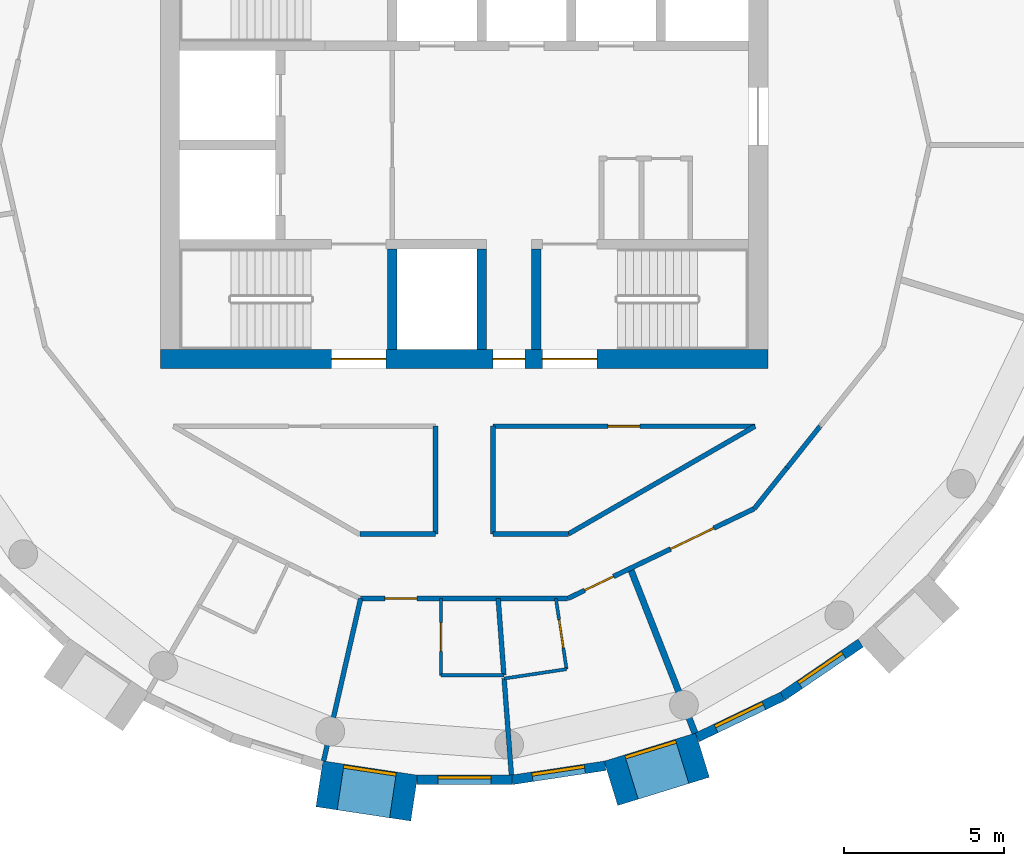
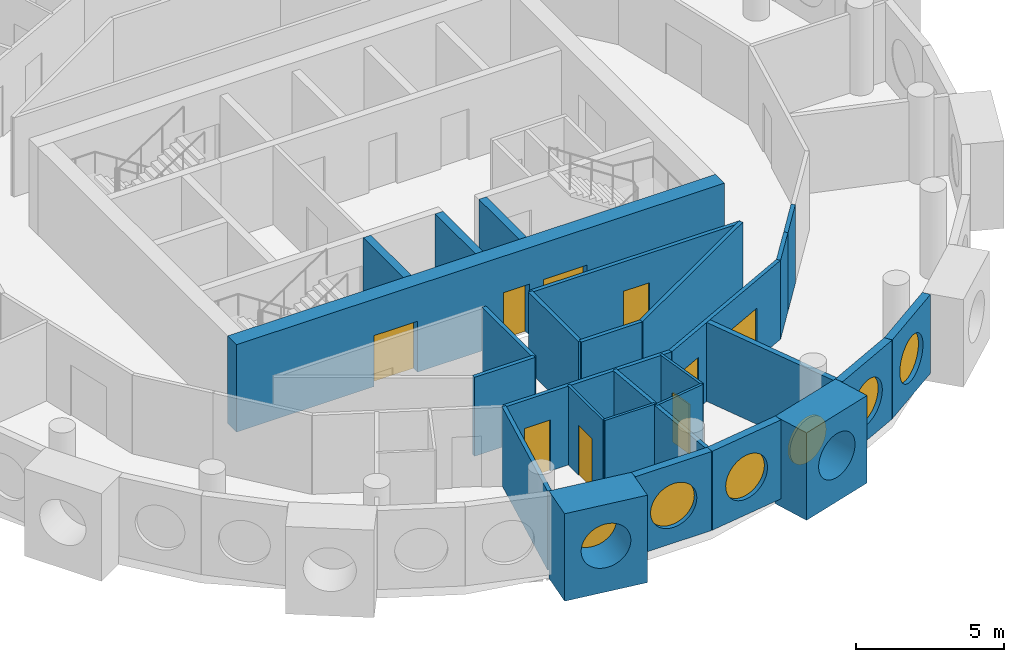
# One storey, part 4 of 13: 28 walls, 9 doors, 6 windows, 15 openings.
"""IFC4 building model written with IfcOpenShell, lengths in metres."""

from ifc_helpers import new_model, si_unit, direction, frame, frame_2d, origin, origin_2d, place, context, subcontext, project, spatial, rectangle, circle, extrude, material, layer, layer_set, type_object, element, fill, save


model = new_model("IFC4")

# Units and contexts
model_context = context("Model", 3, precision=1e-05, world=origin(), true_north=direction((0.0, 1.0)))
body_context = subcontext(model_context, "Body", "Model", "MODEL_VIEW")
ifc_project = project(units=[si_unit("LENGTHUNIT", "METRE"), si_unit("AREAUNIT", "SQUARE_METRE"), si_unit("VOLUMEUNIT", "CUBIC_METRE"), si_unit("PLANEANGLEUNIT", "RADIAN"), si_unit("MASSUNIT", "GRAM", prefix="KILO")], contexts=[model_context])

# Site, building, storey
site_placement = place(None, origin())
site = spatial("IfcSite", under=ifc_project, at=site_placement, CompositionType="ELEMENT")
building_placement = place(site_placement, origin())
building = spatial("IfcBuilding", under=site, at=building_placement, Name="Tracery Tower", CompositionType="ELEMENT")
storey_placement = place(building_placement, frame((0.0, 0.0, 316.199951171875)))
storey = spatial("IfcBuildingStorey", under=building, at=storey_placement, Name="L82", CompositionType="ELEMENT", Elevation=316.199951171875)

# Wall, openings, doors
ifc_material_1 = material(Name="Concrete C40/50", Category="concrete")
ifc_layer_1 = layer(ifc_material_1, 0.60009765625)
ifc_layer_set_1 = layer_set([ifc_layer_1], Name="Core wall 600 C40")
wall_type_1 = type_object("IfcWallType", Name="Core wall 600 C40", PredefinedType="SOLIDWALL", material=ifc_layer_set_1)
wall_1_placement = place(storey_placement, frame((-9.5, -6.699951171875, 0.0), z_axis=(0.0, 0.0, 1.0), x_axis=(1.0, 0.0, 0.0)))
wall_1 = element("IfcWall", 1, at=wall_1_placement, inside=storey, type_object=wall_type_1, Name="L82 outer S", PredefinedType="SOLIDWALL", context=body_context, shape_type="SweptSolid", body=[
    extrude(rectangle(XDim=19.0, YDim=0.60009765625, at=frame_2d((9.5, 0.0))), origin(), (0.0, 0.0, 1.0), 3.60009765625),
])
opening_1_placement = place(wall_1_placement, frame((10.39990234375, 0.0, 0.0)))
opening_1 = element("IfcOpeningElement", 2, at=opening_1_placement, cuts=wall_1, Name="Opening KD16", PredefinedType="OPENING", context=body_context, shape_type="SweptSolid", body=[
    extrude(rectangle(XDim=1.0, YDim=2.10009765625, at=frame_2d((0.5, 1.050048828125))), frame((0.0, 0.300048828125, 0.0), z_axis=(0.0, -1.0, 0.0), x_axis=(1.0, 0.0, 0.0)), (0.0, 0.0, 1.0), 0.60009765625),
])
opening_2_placement = place(wall_1_placement, frame((5.35009765625, 0.0, 0.0)))
opening_2 = element("IfcOpeningElement", 3, at=opening_2_placement, cuts=wall_1, Name="Opening KD3", PredefinedType="OPENING", context=body_context, shape_type="SweptSolid", body=[
    extrude(rectangle(XDim=1.699951171875, YDim=2.10009765625, at=frame_2d((0.85009765625, 1.050048828125))), frame((0.0, 0.300048828125, 0.0), z_axis=(0.0, -1.0, 0.0), x_axis=(1.0, 0.0, 0.0)), (0.0, 0.0, 1.0), 0.60009765625),
])
opening_3_placement = place(wall_1_placement, frame((11.949951171875, 0.0, 0.0)))
opening_3 = element("IfcOpeningElement", 4, at=opening_3_placement, cuts=wall_1, Name="Opening KD3", PredefinedType="OPENING", context=body_context, shape_type="SweptSolid", body=[
    extrude(rectangle(XDim=1.699951171875, YDim=2.10009765625, at=frame_2d((0.85009765625, 1.050048828125))), frame((0.0, 0.300048828125, 0.0), z_axis=(0.0, -1.0, 0.0), x_axis=(1.0, 0.0, 0.0)), (0.0, 0.0, 1.0), 0.60009765625),
])
ifc_material_2 = material(Name="Steel fire door", Category="steel")
door_type_1 = type_object("IfcDoorType", Name="Core exit door 1000", OperationType="NOTDEFINED", PredefinedType="DOOR", material=ifc_material_2)
door_1_placement = place(opening_1_placement, origin())
door_1 = element("IfcDoor", 5, at=door_1_placement, inside=storey, type_object=door_type_1, Name="Core exit door", OperationType="SINGLE_SWING_LEFT", OverallHeight=2.10009765625, OverallWidth=1.0, PredefinedType="DOOR", context=body_context, shape_type="SweptSolid", body=[
    extrude(rectangle(XDim=1.0, YDim=2.10009765625, at=frame_2d((0.5, 1.050048828125))), frame((0.0, 0.02490234375, 0.0), z_axis=(0.0, -1.0, 0.0), x_axis=(1.0, 0.0, 0.0)), (0.0, 0.0, 1.0), 0.050048828125),
])
fill(opening_1, door_1)
ifc_material_3 = material(Name="Steel fire door", Category="steel")
door_type_2 = type_object("IfcDoorType", Name="Core stair door 1700 double", OperationType="NOTDEFINED", PredefinedType="DOOR", material=ifc_material_3)
door_2_placement = place(opening_2_placement, origin())
door_2 = element("IfcDoor", 6, at=door_2_placement, inside=storey, type_object=door_type_2, Name="Stair door ST1 exit", OperationType="DOUBLE_DOOR_SINGLE_SWING", OverallHeight=2.10009765625, OverallWidth=1.699951171875, PredefinedType="DOOR", context=body_context, shape_type="SweptSolid", body=[
    extrude(rectangle(XDim=1.699951171875, YDim=2.10009765625, at=frame_2d((0.85009765625, 1.050048828125))), frame((0.0, 0.02490234375, 0.0), z_axis=(0.0, -1.0, 0.0), x_axis=(1.0, 0.0, 0.0)), (0.0, 0.0, 1.0), 0.050048828125),
])
fill(opening_2, door_2)
door_3_placement = place(opening_3_placement, origin())
door_3 = element("IfcDoor", 7, at=door_3_placement, inside=storey, type_object=door_type_2, Name="Stair door ST2 exit", OperationType="DOUBLE_DOOR_SINGLE_SWING", OverallHeight=2.10009765625, OverallWidth=1.699951171875, PredefinedType="DOOR", context=body_context, shape_type="SweptSolid", body=[
    extrude(rectangle(XDim=1.699951171875, YDim=2.10009765625, at=frame_2d((0.85009765625, 1.050048828125))), frame((0.0, 0.02490234375, 0.0), z_axis=(0.0, -1.0, 0.0), x_axis=(1.0, 0.0, 0.0)), (0.0, 0.0, 1.0), 0.050048828125),
])
fill(opening_3, door_3)

# Wall, opening, window
ifc_material_4 = material(Name="Precast concrete C50/60", Category="concrete")
ifc_layer_2 = layer(ifc_material_4, 1.449951171875)
ifc_layer_set_2 = layer_set([ifc_layer_2], Name="Deep-set bay unit 3000 x 3600, slab edge 350")
wall_type_2 = type_object("IfcWallType", Name="Deep-set bay unit 3000 x 3600, slab edge 350", PredefinedType="ELEMENTEDWALL", material=ifc_layer_set_2)
wall_2_placement = place(storey_placement, frame((-4.52978515625, -19.9892578125, -0.349853515625), z_axis=(0.0, 0.0, 1.0), x_axis=(0.988836445254, -0.149004981587, 0.0)))
wall_2 = element("IfcWall", 8, at=wall_2_placement, inside=storey, type_object=wall_type_2, Name="Deep-set bay unit 31 at L82", PredefinedType="ELEMENTEDWALL", context=body_context, shape_type="SweptSolid", body=[
    extrude(rectangle(XDim=3.0, YDim=1.449951171875, at=frame_2d((1.5, 0.0))), origin(), (0.0, 0.0, 1.0), 3.599853515625),
])
opening_4_placement = place(wall_2_placement, frame((1.5, 0.0, 1.89990234375)))
opening_4 = element("IfcOpeningElement", 9, at=opening_4_placement, cuts=wall_2, Name="Opening WN1", PredefinedType="OPENING", context=body_context, shape_type="SweptSolid", body=[
    extrude(circle(Radius=0.9000244140625, at=origin_2d()), frame((0.0, 0.73486328125, 0.0), z_axis=(0.0, -1.0, 0.0), x_axis=(1.0, 0.0, 0.0)), (0.0, 0.0, 1.0), 1.469970703125),
])
ifc_material_5 = material(Name="Aluminium frame with tinted double glazing", Category="aluminium")
window_type = type_object("IfcWindowType", Name="Round window 1800", PartitioningType="SINGLE_PANEL", PredefinedType="WINDOW", material=ifc_material_5)
window_1_placement = place(opening_4_placement, origin())
window_1 = element("IfcWindow", 10, at=window_1_placement, inside=storey, type_object=window_type, Name="Round window 31 at L82", OverallHeight=1.800048828125, OverallWidth=1.800048828125, PartitioningType="SINGLE_PANEL", PredefinedType="WINDOW", context=body_context, shape_type="SweptSolid", body=[
    extrude(circle(Radius=0.9000244140625, at=origin_2d()), frame((0.0, 0.69482421875, 0.0), z_axis=(0.0, -1.0, 0.0), x_axis=(1.0, 0.0, 0.0)), (0.0, 0.0, 1.0), 0.10009765625),
])
fill(opening_4, window_1)

wall_3_placement = place(storey_placement, frame((4.591796875, -19.97509765625, -0.349853515625), z_axis=(0.0, 0.0, 1.0), x_axis=(0.955571139978, 0.294760574774, 0.0)))
wall_3 = element("IfcWall", 11, at=wall_3_placement, inside=storey, type_object=wall_type_2, Name="Deep-set bay unit 34 at L82", PredefinedType="ELEMENTEDWALL", context=body_context, shape_type="SweptSolid", body=[
    extrude(rectangle(XDim=3.0, YDim=1.449951171875, at=frame_2d((1.5, 0.0))), origin(), (0.0, 0.0, 1.0), 3.599853515625),
])
opening_5_placement = place(wall_3_placement, frame((1.5, 0.0, 1.89990234375)))
opening_5 = element("IfcOpeningElement", 12, at=opening_5_placement, cuts=wall_3, Name="Opening WN1", PredefinedType="OPENING", context=body_context, shape_type="SweptSolid", body=[
    extrude(circle(Radius=0.9000244140625, at=origin_2d()), frame((0.0, 0.73486328125, 0.0), z_axis=(0.0, -1.0, 0.0), x_axis=(1.0, 0.0, 0.0)), (0.0, 0.0, 1.0), 1.469970703125),
])
window_2_placement = place(opening_5_placement, origin())
window_2 = element("IfcWindow", 13, at=window_2_placement, inside=storey, type_object=window_type, Name="Round window 34 at L82", OverallHeight=1.800048828125, OverallWidth=1.800048828125, PartitioningType="SINGLE_PANEL", PredefinedType="WINDOW", context=body_context, shape_type="SweptSolid", body=[
    extrude(circle(Radius=0.9000244140625, at=origin_2d()), frame((0.0, 0.69482421875, 0.0), z_axis=(0.0, -1.0, 0.0), x_axis=(1.0, 0.0, 0.0)), (0.0, 0.0, 1.0), 0.10009765625),
])
fill(opening_5, window_2)

ifc_material_6 = material(Name="Precast concrete C50/60", Category="concrete")
ifc_layer_3 = layer(ifc_material_6, 0.300048828125)
ifc_layer_set_3 = layer_set([ifc_layer_3], Name="Facade panel 3000 x 3250")
wall_type_3 = type_object("IfcWallType", Name="Facade panel 3000 x 3250", PredefinedType="SOLIDWALL", material=ifc_layer_set_3)
wall_4_placement = place(storey_placement, frame((-1.473388671875, -19.865966796875, 0.0), z_axis=(0.0, 0.0, 1.0), x_axis=(1.0, 0.0, 0.0)))
wall_4 = element("IfcWall", 14, at=wall_4_placement, inside=storey, type_object=wall_type_3, Name="Facade panel 32 at L82", PredefinedType="SOLIDWALL", context=body_context, shape_type="SweptSolid", body=[
    extrude(rectangle(XDim=2.962158203125, YDim=0.300048828125, at=frame_2d((1.48095703125, 0.0))), origin(), (0.0, 0.0, 1.0), 3.25),
])
opening_6_placement = place(wall_4_placement, frame((1.48095703125, 0.0, 1.5498046875)))
opening_6 = element("IfcOpeningElement", 15, at=opening_6_placement, cuts=wall_4, Name="Opening WN1", PredefinedType="OPENING", context=body_context, shape_type="SweptSolid", body=[
    extrude(circle(Radius=0.9000244140625, at=origin_2d()), frame((0.0, 0.159912109375, 0.0), z_axis=(0.0, -1.0, 0.0), x_axis=(1.0, 0.0, 0.0)), (0.0, 0.0, 1.0), 0.320068359375),
])
window_3_placement = place(opening_6_placement, origin())
window_3 = element("IfcWindow", 16, at=window_3_placement, inside=storey, type_object=window_type, Name="Round window 32 at L82", OverallHeight=1.800048828125, OverallWidth=1.800048828125, PartitioningType="SINGLE_PANEL", PredefinedType="WINDOW", context=body_context, shape_type="SweptSolid", body=[
    extrude(circle(Radius=0.9000244140625, at=origin_2d()), frame((0.0, 0.1201171875, 0.0), z_axis=(0.0, -1.0, 0.0), x_axis=(1.0, 0.0, 0.0)), (0.0, 0.0, 1.0), 0.10009765625),
])
fill(opening_6, window_3)

wall_5_placement = place(storey_placement, frame((1.48876953125, -19.865966796875, 0.0), z_axis=(0.0, 0.0, 1.0), x_axis=(0.988835775663, 0.149009425104, 0.0)))
wall_5 = element("IfcWall", 17, at=wall_5_placement, inside=storey, type_object=wall_type_3, Name="Facade panel 33 at L82", PredefinedType="SOLIDWALL", context=body_context, shape_type="SweptSolid", body=[
    extrude(rectangle(XDim=2.962158203125, YDim=0.300048828125, at=frame_2d((1.48095703125, 0.0))), origin(), (0.0, 0.0, 1.0), 3.25),
])
opening_7_placement = place(wall_5_placement, frame((1.48095703125, 0.0, 1.5498046875)))
opening_7 = element("IfcOpeningElement", 18, at=opening_7_placement, cuts=wall_5, Name="Opening WN1", PredefinedType="OPENING", context=body_context, shape_type="SweptSolid", body=[
    extrude(circle(Radius=0.9000244140625, at=origin_2d()), frame((0.0, 0.159912109375, 0.0), z_axis=(0.0, -1.0, 0.0), x_axis=(1.0, 0.0, 0.0)), (0.0, 0.0, 1.0), 0.320068359375),
])
window_4_placement = place(opening_7_placement, origin())
window_4 = element("IfcWindow", 19, at=window_4_placement, inside=storey, type_object=window_type, Name="Round window 33 at L82", OverallHeight=1.800048828125, OverallWidth=1.800048828125, PartitioningType="SINGLE_PANEL", PredefinedType="WINDOW", context=body_context, shape_type="SweptSolid", body=[
    extrude(circle(Radius=0.9000244140625, at=origin_2d()), frame((0.0, 0.1201171875, 0.0), z_axis=(0.0, -1.0, 0.0), x_axis=(1.0, 0.0, 0.0)), (0.0, 0.0, 1.0), 0.10009765625),
])
fill(opening_7, window_4)

wall_6_placement = place(storey_placement, frame((7.2919921875, -18.5380859375, 0.0), z_axis=(0.0, 0.0, 1.0), x_axis=(0.90095513435, 0.433912255978, 0.0)))
wall_6 = element("IfcWall", 20, at=wall_6_placement, inside=storey, type_object=wall_type_3, Name="Facade panel 35 at L82", PredefinedType="SOLIDWALL", context=body_context, shape_type="SweptSolid", body=[
    extrude(rectangle(XDim=2.96240234375, YDim=0.300048828125, at=frame_2d((1.481201171875, 0.0))), origin(), (0.0, 0.0, 1.0), 3.25),
])
opening_8_placement = place(wall_6_placement, frame((1.48095703125, 0.0, 1.5498046875)))
opening_8 = element("IfcOpeningElement", 21, at=opening_8_placement, cuts=wall_6, Name="Opening WN1", PredefinedType="OPENING", context=body_context, shape_type="SweptSolid", body=[
    extrude(circle(Radius=0.9000244140625, at=origin_2d()), frame((0.0, 0.159912109375, 0.0), z_axis=(0.0, -1.0, 0.0), x_axis=(1.0, 0.0, 0.0)), (0.0, 0.0, 1.0), 0.320068359375),
])
window_5_placement = place(opening_8_placement, origin())
window_5 = element("IfcWindow", 22, at=window_5_placement, inside=storey, type_object=window_type, Name="Round window 35 at L82", OverallHeight=1.800048828125, OverallWidth=1.800048828125, PartitioningType="SINGLE_PANEL", PredefinedType="WINDOW", context=body_context, shape_type="SweptSolid", body=[
    extrude(circle(Radius=0.9000244140625, at=origin_2d()), frame((0.0, 0.1201171875, 0.0), z_axis=(0.0, -1.0, 0.0), x_axis=(1.0, 0.0, 0.0)), (0.0, 0.0, 1.0), 0.10009765625),
])
fill(opening_8, window_5)

wall_7_placement = place(storey_placement, frame((9.9609375, -17.252685546875, 0.0), z_axis=(0.0, 0.0, 1.0), x_axis=(0.826236061068, 0.563324037646, 0.0)))
wall_7 = element("IfcWall", 23, at=wall_7_placement, inside=storey, type_object=wall_type_3, Name="Facade panel 36 at L82", PredefinedType="SOLIDWALL", context=body_context, shape_type="SweptSolid", body=[
    extrude(rectangle(XDim=2.962158203125, YDim=0.300048828125, at=frame_2d((1.48095703125, 0.0))), origin(), (0.0, 0.0, 1.0), 3.25),
])
opening_9_placement = place(wall_7_placement, frame((1.48095703125, 0.0, 1.5498046875)))
opening_9 = element("IfcOpeningElement", 24, at=opening_9_placement, cuts=wall_7, Name="Opening WN1", PredefinedType="OPENING", context=body_context, shape_type="SweptSolid", body=[
    extrude(circle(Radius=0.9000244140625, at=origin_2d()), frame((0.0, 0.159912109375, 0.0), z_axis=(0.0, -1.0, 0.0), x_axis=(1.0, 0.0, 0.0)), (0.0, 0.0, 1.0), 0.320068359375),
])
window_6_placement = place(opening_9_placement, origin())
window_6 = element("IfcWindow", 25, at=window_6_placement, inside=storey, type_object=window_type, Name="Round window 36 at L82", OverallHeight=1.800048828125, OverallWidth=1.800048828125, PartitioningType="SINGLE_PANEL", PredefinedType="WINDOW", context=body_context, shape_type="SweptSolid", body=[
    extrude(circle(Radius=0.9000244140625, at=origin_2d()), frame((0.0, 0.1201171875, 0.0), z_axis=(0.0, -1.0, 0.0), x_axis=(1.0, 0.0, 0.0)), (0.0, 0.0, 1.0), 0.10009765625),
])
fill(opening_9, window_6)

# Wall, opening, door
ifc_material_7 = material(Name="Plasterboard on steel studs", Category="steel")
ifc_layer_4 = layer(ifc_material_7, 0.10009765625)
ifc_layer_set_4 = layer_set([ifc_layer_4], Name="Partition 100 wet wall")
wall_type_4 = type_object("IfcWallType", Name="Partition 100 wet wall", PredefinedType="PARTITIONING", material=ifc_layer_set_4)
wall_8_placement = place(storey_placement, frame((-0.721923828125, -16.592041015625, 0.0), z_axis=(0.0, 0.0, 1.0), x_axis=(0.0, 1.0, 0.0)))
wall_8 = element("IfcWall", 26, at=wall_8_placement, inside=storey, type_object=wall_type_4, Name="Wet wall RC9-062", PredefinedType="PARTITIONING", context=body_context, shape_type="SweptSolid", body=[
    extrude(rectangle(XDim=2.400146484375, YDim=0.10009765625, at=frame_2d((1.2001953125, 0.0))), origin(), (0.0, 0.0, 1.0), 3.25),
])
opening_10_placement = place(wall_8_placement, frame((0.75, 0.0, 0.0)))
opening_10 = element("IfcOpeningElement", 27, at=opening_10_placement, cuts=wall_8, Name="Opening RC9-17", PredefinedType="OPENING", context=body_context, shape_type="SweptSolid", body=[
    extrude(rectangle(XDim=0.89990234375, YDim=2.0400390625, at=frame_2d((0.449951171875, 1.02001953125))), frame((0.0, 0.050048828125, 0.0), z_axis=(0.0, -1.0, 0.0), x_axis=(1.0, 0.0, 0.0)), (0.0, 0.0, 1.0), 0.10009765625),
])
ifc_material_8 = material(Name="Timber door leaf", Category="wood")
door_type_3 = type_object("IfcDoorType", Name="Door en-suite 900", OperationType="NOTDEFINED", PredefinedType="DOOR", material=ifc_material_8)
door_4_placement = place(opening_10_placement, origin())
door_4 = element("IfcDoor", 28, at=door_4_placement, inside=storey, type_object=door_type_3, Name="En-suite door RC9-17", OperationType="SINGLE_SWING_RIGHT", OverallHeight=2.0400390625, OverallWidth=0.89990234375, PredefinedType="DOOR", context=body_context, shape_type="SweptSolid", body=[
    extrude(rectangle(XDim=0.89990234375, YDim=2.0400390625, at=frame_2d((0.449951171875, 1.02001953125))), frame((0.0, 0.02490234375, 0.0), z_axis=(0.0, -1.0, 0.0), x_axis=(1.0, 0.0, 0.0)), (0.0, 0.0, 1.0), 0.050048828125),
])
fill(opening_10, door_4)

# Walls
wall_9_placement = place(storey_placement, frame((-0.721923828125, -16.592041015625, 0.0), z_axis=(0.0, 0.0, 1.0), x_axis=(1.0, 0.0, 0.0)))
element("IfcWall", 29, at=wall_9_placement, inside=storey, type_object=wall_type_4, Name="Wet wall RC9-063", PredefinedType="PARTITIONING", context=body_context, shape_type="SweptSolid", body=[
    extrude(rectangle(XDim=1.96484375, YDim=0.10009765625, at=frame_2d((0.982421875, 0.0))), origin(), (0.0, 0.0, 1.0), 3.25),
])
wall_10_placement = place(storey_placement, frame((1.2509765625, -16.695068359375, 0.0), z_axis=(0.0, 0.0, 1.0), x_axis=(0.988831780565, 0.149035934407, 0.0)))
element("IfcWall", 30, at=wall_10_placement, inside=storey, type_object=wall_type_4, Name="Wet wall RC9-066", PredefinedType="PARTITIONING", context=body_context, shape_type="SweptSolid", body=[
    extrude(rectangle(XDim=1.973876953125, YDim=0.10009765625, at=frame_2d((0.98681640625, 0.0))), origin(), (0.0, 0.0, 1.0), 3.25),
])

# Wall, opening, door
wall_11_placement = place(storey_placement, frame((2.8701171875, -14.19189453125, 0.0), z_axis=(0.0, 0.0, 1.0), x_axis=(0.148960349288, -0.988843169739, 0.0)))
wall_11 = element("IfcWall", 31, at=wall_11_placement, inside=storey, type_object=wall_type_4, Name="Wet wall RC9-067", PredefinedType="PARTITIONING", context=body_context, shape_type="SweptSolid", body=[
    extrude(rectangle(XDim=2.23388671875, YDim=0.10009765625, at=frame_2d((1.116943359375, 0.0))), origin(), (0.0, 0.0, 1.0), 3.25),
])
opening_11_placement = place(wall_11_placement, frame((0.6669921875, 0.0, 0.0)))
opening_11 = element("IfcOpeningElement", 32, at=opening_11_placement, cuts=wall_11, Name="Opening RC9-19", PredefinedType="OPENING", context=body_context, shape_type="SweptSolid", body=[
    extrude(rectangle(XDim=0.89990234375, YDim=2.0400390625, at=frame_2d((0.449951171875, 1.02001953125))), frame((0.0, 0.050048828125, 0.0), z_axis=(0.0, -1.0, 0.0), x_axis=(1.0, 0.0, 0.0)), (0.0, 0.0, 1.0), 0.10009765625),
])
door_5_placement = place(opening_11_placement, origin())
door_5 = element("IfcDoor", 33, at=door_5_placement, inside=storey, type_object=door_type_3, Name="En-suite door RC9-19", OperationType="SINGLE_SWING_RIGHT", OverallHeight=2.0400390625, OverallWidth=0.89990234375, PredefinedType="DOOR", context=body_context, shape_type="SweptSolid", body=[
    extrude(rectangle(XDim=0.89990234375, YDim=2.0400390625, at=frame_2d((0.449951171875, 1.02001953125))), frame((0.0, 0.02490234375, 0.0), z_axis=(0.0, -1.0, 0.0), x_axis=(1.0, 0.0, 0.0)), (0.0, 0.0, 1.0), 0.050048828125),
])
fill(opening_11, door_5)

# Walls
ifc_material_9 = material(Name="Plasterboard on steel studs", Category="steel")
ifc_layer_5 = layer(ifc_material_9, 0.14990234375)
ifc_layer_set_5 = layer_set([ifc_layer_5], Name="Partition 150 acoustic unit wall")
wall_type_5 = type_object("IfcWallType", Name="Partition 150 acoustic unit wall", PredefinedType="PARTITIONING", material=ifc_layer_set_5)
wall_12_placement = place(storey_placement, frame((-4.39990234375, -19.27587890625, 0.0), z_axis=(0.0, 0.0, 1.0), x_axis=(0.222612505682, 0.974907007008, 0.0)))
element("IfcWall", 34, at=wall_12_placement, inside=storey, type_object=wall_type_5, Name="Unit wall RC9-061", PredefinedType="PARTITIONING", context=body_context, shape_type="SweptSolid", body=[
    extrude(rectangle(XDim=5.21484375, YDim=0.14990234375, at=frame_2d((2.607421875, 0.0))), origin(), (0.0, 0.0, 1.0), 3.25),
])
wall_13_placement = place(storey_placement, frame((1.25, -16.69091796875, 0.0), z_axis=(0.0, 0.0, 1.0), x_axis=(0.075164061246, -0.99717118084, 0.0)))
element("IfcWall", 35, at=wall_13_placement, inside=storey, type_object=wall_type_5, Name="Unit wall RC9-064", PredefinedType="PARTITIONING", context=body_context, shape_type="SweptSolid", body=[
    extrude(rectangle(XDim=3.03369140625, YDim=0.14990234375, at=frame_2d((1.516845703125, 0.0))), origin(), (0.0, 0.0, 1.0), 3.25),
])
wall_14_placement = place(storey_placement, frame((1.06396484375, -14.19189453125, 0.0), z_axis=(0.0, 0.0, 1.0), x_axis=(0.074353677934, -0.997231934195, 0.0)))
element("IfcWall", 36, at=wall_14_placement, inside=storey, type_object=wall_type_5, Name="Unit wall RC9-065", PredefinedType="PARTITIONING", context=body_context, shape_type="SweptSolid", body=[
    extrude(rectangle(XDim=2.40673828125, YDim=0.14990234375, at=frame_2d((1.203369140625, 0.0))), origin(), (0.0, 0.0, 1.0), 3.25),
])

# Wall, opening, door
ifc_material_10 = material(Name="Plasterboard on steel studs", Category="steel")
ifc_layer_6 = layer(ifc_material_10, 0.14990234375)
ifc_layer_set_6 = layer_set([ifc_layer_6], Name="Partition 150 corridor wall")
wall_type_6 = type_object("IfcWallType", Name="Partition 150 corridor wall", PredefinedType="PARTITIONING", material=ifc_layer_set_6)
wall_15_placement = place(storey_placement, frame((0.89599609375, -8.800048828125, 0.0), z_axis=(0.0, 0.0, 1.0), x_axis=(1.0, 0.0, 0.0)))
wall_15 = element("IfcWall", 37, at=wall_15_placement, inside=storey, type_object=wall_type_6, Name="Corridor wall RC9-013", PredefinedType="PARTITIONING", context=body_context, shape_type="SweptSolid", body=[
    extrude(rectangle(XDim=8.20458984375, YDim=0.14990234375, at=frame_2d((4.102294921875, 0.0))), origin(), (0.0, 0.0, 1.0), 3.25),
])
opening_12_placement = place(wall_15_placement, frame((3.597900390625, 0.0, 0.0)))
opening_12 = element("IfcOpeningElement", 38, at=opening_12_placement, cuts=wall_15, Name="Opening RC9-03", PredefinedType="OPENING", context=body_context, shape_type="SweptSolid", body=[
    extrude(rectangle(XDim=1.0, YDim=2.0400390625, at=frame_2d((0.5, 1.02001953125))), frame((0.0, 0.074951171875, 0.0), z_axis=(0.0, -1.0, 0.0), x_axis=(1.0, 0.0, 0.0)), (0.0, 0.0, 1.0), 0.14990234375),
])
ifc_material_11 = material(Name="Timber door leaf", Category="wood")
door_type_4 = type_object("IfcDoorType", Name="Door communal room 1000", OperationType="NOTDEFINED", PredefinedType="DOOR", material=ifc_material_11)
door_6_placement = place(opening_12_placement, origin())
door_6 = element("IfcDoor", 39, at=door_6_placement, inside=storey, type_object=door_type_4, Name="Communal room door RC9-03", OperationType="SINGLE_SWING_RIGHT", OverallHeight=2.0400390625, OverallWidth=1.0, PredefinedType="DOOR", context=body_context, shape_type="SweptSolid", body=[
    extrude(rectangle(XDim=1.0, YDim=2.0400390625, at=frame_2d((0.5, 1.02001953125))), frame((0.0, 0.02490234375, 0.0), z_axis=(0.0, -1.0, 0.0), x_axis=(1.0, 0.0, 0.0)), (0.0, 0.0, 1.0), 0.050048828125),
])
fill(opening_12, door_6)

# Walls
wall_16_placement = place(storey_placement, frame((10.10107421875, -10.10107421875, 0.0), z_axis=(0.0, 0.0, 1.0), x_axis=(0.623098344652, 0.782143498913, 0.0)))
element("IfcWall", 40, at=wall_16_placement, inside=storey, type_object=wall_type_6, Name="Corridor wall RC9-019", PredefinedType="PARTITIONING", context=body_context, shape_type="SweptSolid", body=[
    extrude(rectangle(XDim=1.660888671875, YDim=0.14990234375, at=frame_2d((0.83056640625, 0.0))), origin(), (0.0, 0.0, 1.0), 3.25),
])
wall_17_placement = place(storey_placement, frame((-3.260986328125, -12.1708984375, 0.0), z_axis=(0.0, 0.0, 1.0), x_axis=(1.0, 0.0, 0.0)))
element("IfcWall", 41, at=wall_17_placement, inside=storey, type_object=wall_type_6, Name="Corridor wall RC9-034", PredefinedType="PARTITIONING", context=body_context, shape_type="SweptSolid", body=[
    extrude(rectangle(XDim=2.361083984375, YDim=0.14990234375, at=frame_2d((1.1806640625, 0.0))), origin(), (0.0, 0.0, 1.0), 3.25),
])
for number, where, z_axis, x_axis, name in (
    (42, (-0.89990234375, -12.1708984375, 0.0), (0.0, 0.0, 1.0), (0.0, 1.0, 0.0), "Corridor wall RC9-035"),
    (43, (0.89990234375, -12.1708984375, 0.0), (0.0, 0.0, 1.0), (0.0, 1.0, 0.0), "Corridor wall RC9-036"),
):
    element("IfcWall", number, at=place(storey_placement, frame(where, z_axis=z_axis, x_axis=x_axis)), inside=storey, type_object=wall_type_6, Name=name, PredefinedType="PARTITIONING", context=body_context, shape_type="SweptSolid", body=[
        extrude(rectangle(XDim=3.370849609375, YDim=0.14990234375, at=frame_2d((1.685546875, 0.0))), origin(), (0.0, 0.0, 1.0), 3.25),
    ])
wall_18_placement = place(storey_placement, frame((0.89990234375, -12.1708984375, 0.0), z_axis=(0.0, 0.0, 1.0), x_axis=(1.0, 0.0, 0.0)))
element("IfcWall", 44, at=wall_18_placement, inside=storey, type_object=wall_type_6, Name="Corridor wall RC9-037", PredefinedType="PARTITIONING", context=body_context, shape_type="SweptSolid", body=[
    extrude(rectangle(XDim=2.361083984375, YDim=0.14990234375, at=frame_2d((1.1806640625, 0.0))), origin(), (0.0, 0.0, 1.0), 3.25),
])
wall_19_placement = place(storey_placement, frame((3.260986328125, -12.1708984375, 0.0), z_axis=(0.0, 0.0, 1.0), x_axis=(0.866066809554, 0.499928276245, 0.0)))
element("IfcWall", 45, at=wall_19_placement, inside=storey, type_object=wall_type_6, Name="Corridor wall RC9-038", PredefinedType="PARTITIONING", context=body_context, shape_type="SweptSolid", body=[
    extrude(rectangle(XDim=6.74267578125, YDim=0.14990234375, at=frame_2d((3.371337890625, 0.0))), origin(), (0.0, 0.0, 1.0), 3.25),
])

# Wall, opening, door
wall_20_placement = place(storey_placement, frame((-3.239013671875, -14.19189453125, 0.0), z_axis=(0.0, 0.0, 1.0), x_axis=(1.0, 0.0, 0.0)))
wall_20 = element("IfcWall", 46, at=wall_20_placement, inside=storey, type_object=wall_type_6, Name="Corridor wall RC9-040", PredefinedType="PARTITIONING", context=body_context, shape_type="SweptSolid", body=[
    extrude(rectangle(XDim=6.47802734375, YDim=0.14990234375, at=frame_2d((3.239013671875, 0.0))), origin(), (0.0, 0.0, 1.0), 3.25),
])
opening_13_placement = place(wall_20_placement, frame((0.760986328125, 0.0, 0.0)))
opening_13 = element("IfcOpeningElement", 47, at=opening_13_placement, cuts=wall_20, Name="Opening RC9-18", PredefinedType="OPENING", context=body_context, shape_type="SweptSolid", body=[
    extrude(rectangle(XDim=1.0, YDim=2.10009765625, at=frame_2d((0.5, 1.050048828125))), frame((0.0, 0.074951171875, 0.0), z_axis=(0.0, -1.0, 0.0), x_axis=(1.0, 0.0, 0.0)), (0.0, 0.0, 1.0), 0.14990234375),
])
ifc_material_12 = material(Name="Timber door leaf", Category="wood")
door_type_5 = type_object("IfcDoorType", Name="Door unit entrance 1000", OperationType="NOTDEFINED", PredefinedType="DOOR", material=ifc_material_12)
door_7_placement = place(opening_13_placement, origin())
door_7 = element("IfcDoor", 48, at=door_7_placement, inside=storey, type_object=door_type_5, Name="Unit entrance door RC9-18", OperationType="SINGLE_SWING_LEFT", OverallHeight=2.10009765625, OverallWidth=1.0, PredefinedType="DOOR", context=body_context, shape_type="SweptSolid", body=[
    extrude(rectangle(XDim=1.0, YDim=2.10009765625, at=frame_2d((0.5, 1.050048828125))), frame((0.0, 0.02490234375, 0.0), z_axis=(0.0, -1.0, 0.0), x_axis=(1.0, 0.0, 0.0)), (0.0, 0.0, 1.0), 0.050048828125),
])
fill(opening_13, door_7)

# Wall, openings, doors
wall_21_placement = place(storey_placement, frame((3.239013671875, -14.19189453125, 0.0), z_axis=(0.0, 0.0, 1.0), x_axis=(0.900851590682, 0.434127183629, 0.0)))
wall_21 = element("IfcWall", 49, at=wall_21_placement, inside=storey, type_object=wall_type_6, Name="Corridor wall RC9-041", PredefinedType="PARTITIONING", context=body_context, shape_type="SweptSolid", body=[
    extrude(rectangle(XDim=6.478515625, YDim=0.14990234375, at=frame_2d((3.2392578125, 0.0))), origin(), (0.0, 0.0, 1.0), 3.25),
])
opening_14_placement = place(wall_21_placement, frame((0.589111328125, 0.0, 0.0)))
opening_14 = element("IfcOpeningElement", 50, at=opening_14_placement, cuts=wall_21, Name="Opening RC9-20", PredefinedType="OPENING", context=body_context, shape_type="SweptSolid", body=[
    extrude(rectangle(XDim=1.0, YDim=2.10009765625, at=frame_2d((0.5, 1.050048828125))), frame((0.0, 0.074951171875, 0.0), z_axis=(0.0, -1.0, 0.0), x_axis=(1.0, 0.0, 0.0)), (0.0, 0.0, 1.0), 0.14990234375),
])
opening_15_placement = place(wall_21_placement, frame((3.57470703125, 0.0, 0.0)))
opening_15 = element("IfcOpeningElement", 51, at=opening_15_placement, cuts=wall_21, Name="Opening RC9-21", PredefinedType="OPENING", context=body_context, shape_type="SweptSolid", body=[
    extrude(rectangle(XDim=1.5, YDim=2.10009765625, at=frame_2d((0.75, 1.050048828125))), frame((0.0, 0.074951171875, 0.0), z_axis=(0.0, -1.0, 0.0), x_axis=(1.0, 0.0, 0.0)), (0.0, 0.0, 1.0), 0.14990234375),
])
ifc_material_13 = material(Name="Timber door leaf", Category="wood")
door_type_6 = type_object("IfcDoorType", Name="Door double kitchen 1500", OperationType="NOTDEFINED", PredefinedType="DOOR", material=ifc_material_13)
door_8_placement = place(opening_15_placement, origin())
door_8 = element("IfcDoor", 52, at=door_8_placement, inside=storey, type_object=door_type_6, Name="Double kitchen door RC9-21", OperationType="DOUBLE_DOOR_SINGLE_SWING", OverallHeight=2.10009765625, OverallWidth=1.5, PredefinedType="DOOR", context=body_context, shape_type="SweptSolid", body=[
    extrude(rectangle(XDim=1.5, YDim=2.10009765625, at=frame_2d((0.75, 1.050048828125))), frame((0.0, 0.02490234375, 0.0), z_axis=(0.0, -1.0, 0.0), x_axis=(1.0, 0.0, 0.0)), (0.0, 0.0, 1.0), 0.050048828125),
])
fill(opening_15, door_8)
door_9_placement = place(opening_14_placement, origin())
door_9 = element("IfcDoor", 53, at=door_9_placement, inside=storey, type_object=door_type_5, Name="Unit entrance door RC9-20", OperationType="SINGLE_SWING_RIGHT", OverallHeight=2.10009765625, OverallWidth=1.0, PredefinedType="DOOR", context=body_context, shape_type="SweptSolid", body=[
    extrude(rectangle(XDim=1.0, YDim=2.10009765625, at=frame_2d((0.5, 1.050048828125))), frame((0.0, 0.02490234375, 0.0), z_axis=(0.0, -1.0, 0.0), x_axis=(1.0, 0.0, 0.0)), (0.0, 0.0, 1.0), 0.050048828125),
])
fill(opening_14, door_9)

# Walls
wall_22_placement = place(storey_placement, frame((9.075927734375, -11.381103515625, 0.0), z_axis=(0.0, 0.0, 1.0), x_axis=(0.623805208652, 0.781579849829, 0.0)))
element("IfcWall", 54, at=wall_22_placement, inside=storey, type_object=wall_type_6, Name="Corridor wall RC9-042", PredefinedType="PARTITIONING", context=body_context, shape_type="SweptSolid", body=[
    extrude(rectangle(XDim=1.64013671875, YDim=0.14990234375, at=frame_2d((0.820068359375, 0.0))), origin(), (0.0, 0.0, 1.0), 3.25),
])
ifc_material_14 = material(Name="Plasterboard on steel studs", Category="steel")
ifc_layer_7 = layer(ifc_material_14, 0.199951171875)
ifc_layer_set_7 = layer_set([ifc_layer_7], Name="Partition 200 compartment wall")
wall_type_7 = type_object("IfcWallType", Name="Partition 200 compartment wall", PredefinedType="PARTITIONING", material=ifc_layer_set_7)
wall_23_placement = place(storey_placement, frame((5.198974609375, -13.248046875, 0.0), z_axis=(0.0, 0.0, 1.0), x_axis=(0.365334662456, -0.930876245485, 0.0)))
element("IfcWall", 55, at=wall_23_placement, inside=storey, type_object=wall_type_7, Name="Compartment wall RC9-068", PredefinedType="PARTITIONING", context=body_context, shape_type="SweptSolid", body=[
    extrude(rectangle(XDim=5.5400390625, YDim=0.199951171875, at=frame_2d((2.77001953125, 0.0))), origin(), (0.0, 0.0, 1.0), 3.25),
])
ifc_material_15 = material(Name="Concrete C40/50", Category="concrete")
ifc_layer_8 = layer(ifc_material_15, 0.300048828125)
ifc_layer_set_8 = layer_set([ifc_layer_8], Name="Shaft wall 300 C40")
wall_type_8 = type_object("IfcWallType", Name="Shaft wall 300 C40", PredefinedType="SOLIDWALL", material=ifc_layer_set_8)
wall_24_placement = place(storey_placement, frame((0.550048828125, -6.39990234375, 0.0), z_axis=(0.0, 0.0, 1.0), x_axis=(0.0, 1.0, 0.0)))
element("IfcWall", 56, at=wall_24_placement, inside=storey, type_object=wall_type_8, Name="L82 OB2 E", PredefinedType="SOLIDWALL", context=body_context, shape_type="SweptSolid", body=[
    extrude(rectangle(XDim=3.14990234375, YDim=0.300048828125, at=frame_2d((1.574951171875, 0.0))), origin(), (0.0, 0.0, 1.0), 3.25),
])
ifc_material_16 = material(Name="Concrete C40/50", Category="concrete")
ifc_layer_9 = layer(ifc_material_16, 0.300048828125)
ifc_layer_set_9 = layer_set([ifc_layer_9], Name="Stair wall 300 C40")
wall_type_9 = type_object("IfcWallType", Name="Stair wall 300 C40", PredefinedType="SOLIDWALL", material=ifc_layer_set_9)
for number, where, z_axis, x_axis, name in (
    (57, (-2.25, -6.39990234375, 0.0), (0.0, 0.0, 1.0), (0.0, 1.0, 0.0), "L82 ST1 E"),
    (58, (2.25, -6.39990234375, 0.0), (0.0, 0.0, 1.0), (0.0, 1.0, 0.0), "L82 ST2 W"),
):
    element("IfcWall", number, at=place(storey_placement, frame(where, z_axis=z_axis, x_axis=x_axis)), inside=storey, type_object=wall_type_9, Name=name, PredefinedType="SOLIDWALL", context=body_context, shape_type="SweptSolid", body=[
        extrude(rectangle(XDim=3.14990234375, YDim=0.300048828125, at=frame_2d((1.574951171875, 0.0))), origin(), (0.0, 0.0, 1.0), 3.25),
    ])

save(model, "model.ifc")
